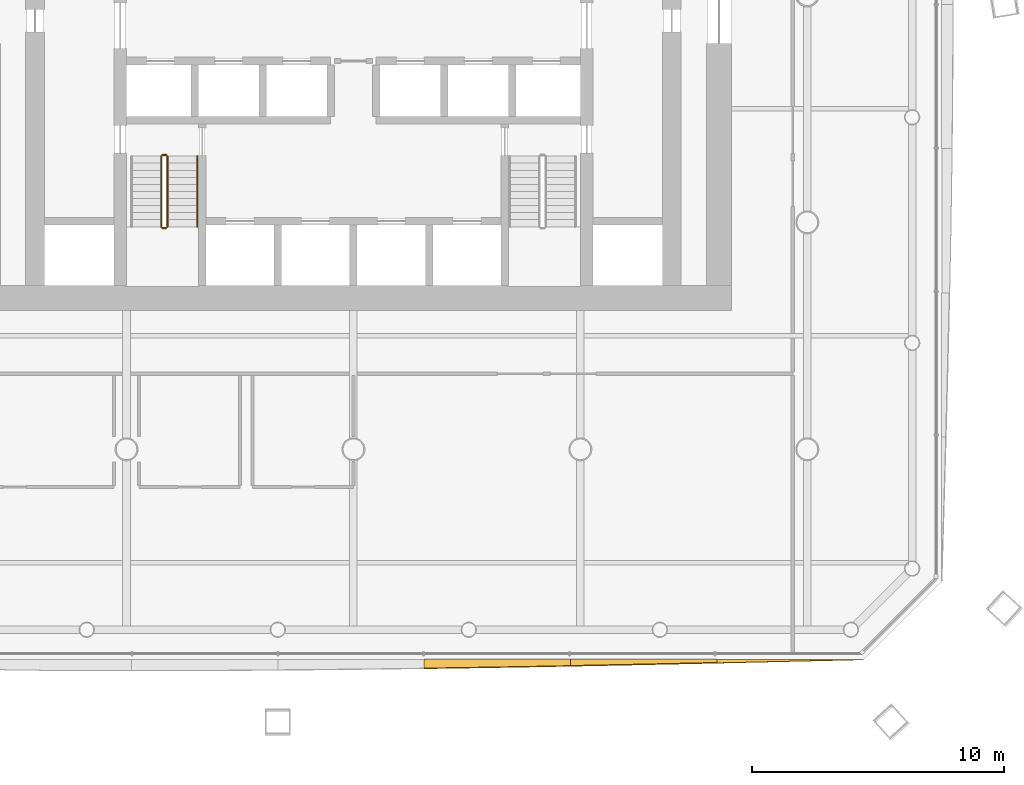
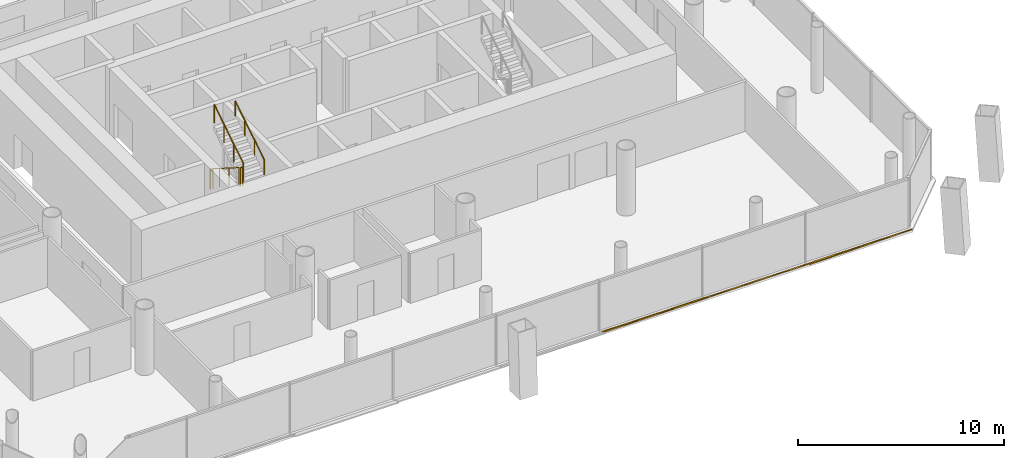
# One storey, part 17 of 20: 5 railings, 3 shading devices.
"""IFC4 building model written with IfcOpenShell, lengths in metres."""

from ifc_helpers import new_model, si_unit, direction, frame, origin, origin_2d, place, context, subcontext, project, spatial, polyline, circle, outline, extrude, material, layer, layer_set, type_object, element, save


model = new_model("IFC4")

# Units and contexts
model_context = context("Model", 3, precision=1e-05, world=origin(), true_north=direction((0.0, 1.0)))
body_context = subcontext(model_context, "Body", "Model", "MODEL_VIEW")
ifc_project = project(units=[si_unit("LENGTHUNIT", "METRE"), si_unit("AREAUNIT", "SQUARE_METRE"), si_unit("VOLUMEUNIT", "CUBIC_METRE"), si_unit("PLANEANGLEUNIT", "RADIAN"), si_unit("MASSUNIT", "GRAM", prefix="KILO")], contexts=[model_context])

# Site, building, storey
site_placement = place(None, origin())
site = spatial("IfcSite", under=ifc_project, at=site_placement, CompositionType="ELEMENT")
building_placement = place(site_placement, origin())
building = spatial("IfcBuilding", under=site, at=building_placement, Name="Tskaro Facet Tower", CompositionType="ELEMENT")
storey_placement = place(building_placement, frame((0.0, 0.0, 53.699951171875)))
storey = spatial("IfcBuildingStorey", under=building, at=storey_placement, Name="L12", CompositionType="ELEMENT", Elevation=53.699951171875)

# Shading devices
ifc_material_1 = material(Name="Bronze anodised aluminium 6063-T6", Category="aluminium")
ifc_layer = layer(ifc_material_1, 0.06005859375, Name="Bronze anodised aluminium 6063-T6")
ifc_layer_set = layer_set([ifc_layer], Name="Bronze anodised aluminium 6063-T6")
shading_device_type = type_object("IfcShadingDeviceType", Name="Bronze sun blade (FN1)", PredefinedType="USERDEFINED", material=ifc_layer_set)
shading_device_1_placement = place(storey_placement, frame((2.806396484375, -26.322509765625, 0.04931640625), z_axis=(2.025003e-06, 0.573314911664, 0.819335103642), x_axis=(0.999999999998, -1.160965e-06, -1.659156e-06)))
element("IfcShadingDevice", 1, at=shading_device_1_placement, inside=storey, type_object=shading_device_type, Name="Fin blade south 6", ObjectType="FIN", PredefinedType="USERDEFINED", context=body_context, shape_type="SweptSolid", body=[
    extrude(outline(polyline([(0.0, 0.0), (5.806640624988095, -6.148019902800378e-22), (5.806640624995697, -0.31257218478617493), (5.080810546947117, -0.32923284087967414), (4.354980468615098, -0.34569346398888534), (3.6291503905263376, -0.3614740822078092), (2.9033203126808345, -0.3765746955364457), (2.177490234268454, -0.39127524289650617), (1.4516601563827702, -0.40549581835056736), (0.7258300780518377, -0.41897632539090884), (-3.583707033489496e-11, -0.431776827540963), (0.0, 0.0)])), origin(), (0.0, 0.0, -1.0), 0.06005859375),
])
shading_device_2_placement = place(storey_placement, frame((8.613037109375, -26.318359375, 0.0458984375), z_axis=(1.7921791e-05, 0.642856313533, 0.765986788287), x_axis=(0.999999999839, -1.1521136e-05, -1.3727855e-05)))
element("IfcShadingDevice", 2, at=shading_device_2_placement, inside=storey, type_object=shading_device_type, Name="Fin blade south 7", ObjectType="FIN", PredefinedType="USERDEFINED", context=body_context, shape_type="SweptSolid", body=[
    extrude(outline(polyline([(0.0, 0.0), (5.80639648344252, 0.0), (5.806396484877368, -0.17555135188320853), (5.080566404826726, -0.1966829636016318), (4.354736328666362, -0.21731367214239833), (3.628906249693219, -0.23775737218990078), (2.9033203118837876, -0.25785711640194287), (2.177490233988144, -0.2776129047785245), (1.4516601566312506, -0.2970247373196458), (0.7258300770003294, -0.31590560553204255), (-2.0918422047471324e-09, -0.33444251790897894), (0.0, 0.0)])), origin(), (0.0, 0.0, -1.0), 0.06005859375),
])
shading_device_3_placement = place(storey_placement, frame((14.41943359375, -26.33642578125, 0.056396484375), z_axis=(-1.0682499e-05, 0.342151030573, 0.939644971339), x_axis=(0.999999999943, 3.655028e-06, 1.0037756e-05)))
element("IfcShadingDevice", 3, at=shading_device_3_placement, inside=storey, type_object=shading_device_type, Name="Fin blade south 8", ObjectType="FIN", PredefinedType="USERDEFINED", context=body_context, shape_type="SweptSolid", body=[
    extrude(outline(polyline([(0.0, 0.0), (5.8066406246686855, -4.9184159222403026e-21), (5.080810547837469, -0.018230242869367138), (4.354980468555629, -0.03637695277228094), (3.6291503901661297, -0.054294257164600734), (2.903320310884289, -0.07244096706751454), (2.1774902358377544, -0.09021239891569367), (1.4516601549976305, -0.10804617034156014), (0.7258300783928127, -0.12550466371269192), (-6.626293068094302e-10, -0.14287962411737037), (0.0, 0.0)])), origin(), (0.0, 0.0, -1.0), 0.06005859375),
])

# Railings
ifc_material_2 = material(Name="Stainless steel", Category="steel")
railing_type_1 = type_object("IfcRailingType", Name="RL-GUARD-1100", PredefinedType="GUARDRAIL", material=ifc_material_2)
railing_1_placement = place(storey_placement, frame((-7.625, -6.375, 0.17724609375)))
element("IfcRailing", 4, at=railing_1_placement, inside=storey, type_object=railing_type_1, Name="L12 ST-1 stair guard 1", PredefinedType="GUARDRAIL", context=body_context, shape_type="SweptSolid", body=[
    extrude(circle(Radius=0.02392578125, at=origin_2d()), frame((0.0, 0.0, 1.076171875), z_axis=(0.0, -0.844908973607, 0.534910110503), x_axis=(1.0, 0.0, 0.0)), (0.0, 0.0, 1.0), 3.31396484375),
    extrude(circle(Radius=0.02099609375, at=origin_2d()), origin(), (0.0, 0.0, 1.0), 1.052001953125),
    extrude(circle(Radius=0.02099609375, at=origin_2d()), frame((0.0, -0.933349609375, 0.5908203125)), (0.0, 0.0, 1.0), 1.052001953125),
    extrude(circle(Radius=0.02099609375, at=origin_2d()), frame((0.0, -1.86669921875, 1.181884765625)), (0.0, 0.0, 1.0), 1.052001953125),
    extrude(circle(Radius=0.02099609375, at=origin_2d()), frame((0.0, -2.800048828125, 1.772705078125)), (0.0, 0.0, 1.0), 1.052001953125),
])
railing_2_placement = place(storey_placement, frame((-7.574951171875, -9.22509765625, 1.949951171875)))
element("IfcRailing", 5, at=railing_2_placement, inside=storey, type_object=railing_type_1, Name="L12 ST-1 stair guard 2", PredefinedType="GUARDRAIL", context=body_context, shape_type="SweptSolid", body=[
    extrude(circle(Radius=0.02392578125, at=origin_2d()), frame((0.0, 0.0, 1.076171875), z_axis=(1.0, 0.0, 0.0), x_axis=(0.0, 1.0, 0.0)), (0.0, 0.0, 1.0), 0.14990234375),
    extrude(circle(Radius=0.02099609375, at=origin_2d()), origin(), (0.0, 0.0, 1.0), 1.052001953125),
    extrude(circle(Radius=0.02099609375, at=origin_2d()), frame((0.14990234375, 0.0, 0.0)), (0.0, 0.0, 1.0), 1.052001953125),
])
railing_3_placement = place(storey_placement, frame((-7.375, -9.175048828125, 2.12744140625)))
element("IfcRailing", 6, at=railing_3_placement, inside=storey, type_object=railing_type_1, Name="L12 ST-1 stair guard 3", PredefinedType="GUARDRAIL", context=body_context, shape_type="SweptSolid", body=[
    extrude(circle(Radius=0.02392578125, at=origin_2d()), frame((0.0, 0.0, 1.076171875), z_axis=(0.0, 0.844908973607, 0.534910110503), x_axis=(-1.0, 0.0, 0.0)), (0.0, 0.0, 1.0), 3.31396484375),
    extrude(circle(Radius=0.02099609375, at=origin_2d()), origin(), (0.0, 0.0, 1.0), 1.052001953125),
    extrude(circle(Radius=0.02099609375, at=origin_2d()), frame((0.0, 0.933349609375, 0.5908203125)), (0.0, 0.0, 1.0), 1.052001953125),
    extrude(circle(Radius=0.02099609375, at=origin_2d()), frame((0.0, 1.86669921875, 1.181884765625)), (0.0, 0.0, 1.0), 1.052001953125),
    extrude(circle(Radius=0.02099609375, at=origin_2d()), frame((0.0, 2.800048828125, 1.772705078125)), (0.0, 0.0, 1.0), 1.052001953125),
])
railing_4_placement = place(storey_placement, frame((-7.574951171875, -6.324951171875, 0.0)))
element("IfcRailing", 7, at=railing_4_placement, inside=storey, type_object=railing_type_1, Name="L12 ST-1 stair guard 4", PredefinedType="GUARDRAIL", context=body_context, shape_type="SweptSolid", body=[
    extrude(circle(Radius=0.02392578125, at=origin_2d()), frame((0.0, 0.0, 1.076171875), z_axis=(1.0, 0.0, 0.0), x_axis=(0.0, 1.0, 0.0)), (0.0, 0.0, 1.0), 0.14990234375),
    extrude(circle(Radius=0.02099609375, at=origin_2d()), origin(), (0.0, 0.0, 1.0), 1.052001953125),
    extrude(circle(Radius=0.02099609375, at=origin_2d()), frame((0.14990234375, 0.0, 0.0)), (0.0, 0.0, 1.0), 1.052001953125),
])
railing_type_2 = type_object("IfcRailingType", Name="RL-HANDRAIL-900", PredefinedType="HANDRAIL", material=ifc_material_2)
railing_5_placement = place(storey_placement, frame((-6.199951171875, -9.175048828125, 2.12744140625)))
element("IfcRailing", 8, at=railing_5_placement, inside=storey, type_object=railing_type_2, Name="L12 ST-1 stair handrail 2", PredefinedType="HANDRAIL", context=body_context, shape_type="SweptSolid", body=[
    extrude(circle(Radius=0.02392578125, at=origin_2d()), frame((0.0, 0.0, 0.8759765625), z_axis=(0.0, 0.844908973607, 0.534910110503), x_axis=(-1.0, 0.0, 0.0)), (0.0, 0.0, 1.0), 3.31396484375),
    extrude(circle(Radius=0.02099609375, at=origin_2d()), origin(), (0.0, 0.0, 1.0), 0.851806640625),
    extrude(circle(Radius=0.02099609375, at=origin_2d()), frame((0.0, 0.933349609375, 0.5908203125)), (0.0, 0.0, 1.0), 0.851806640625),
    extrude(circle(Radius=0.02099609375, at=origin_2d()), frame((0.0, 1.86669921875, 1.181884765625)), (0.0, 0.0, 1.0), 0.851806640625),
    extrude(circle(Radius=0.02099609375, at=origin_2d()), frame((0.0, 2.800048828125, 1.772705078125)), (0.0, 0.0, 1.0), 0.851806640625),
])

save(model, "model.ifc")
